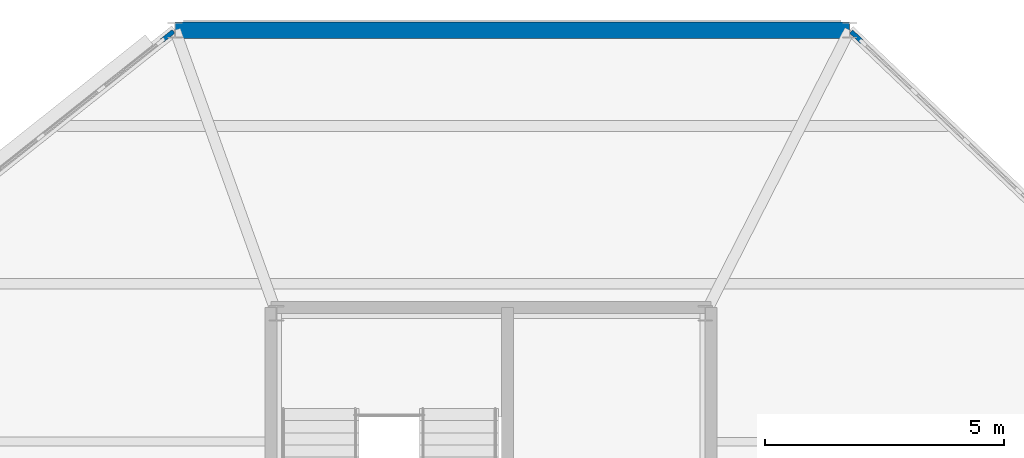
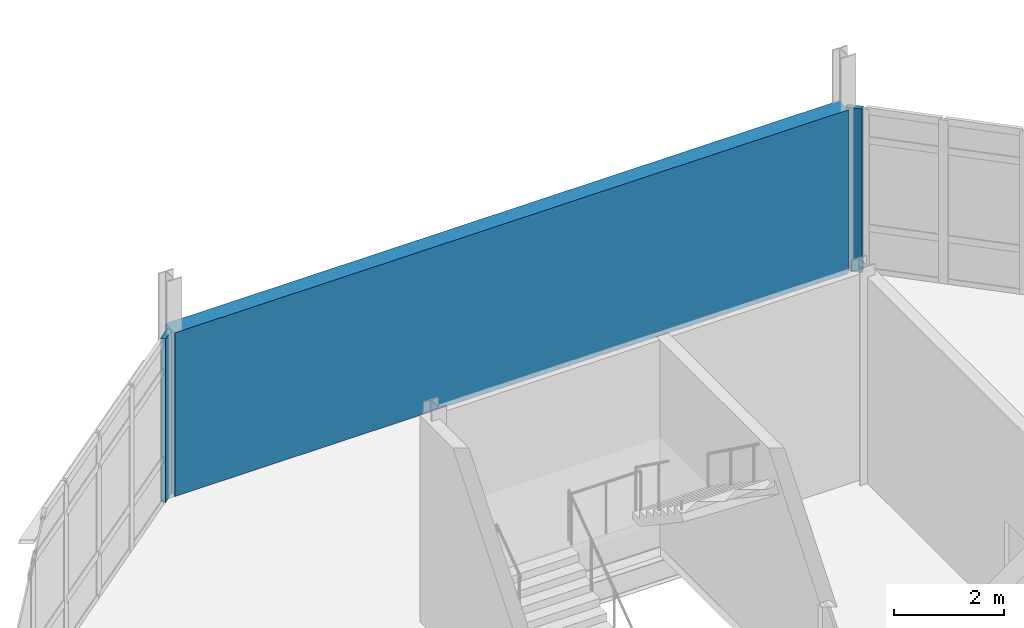
# One storey, part 97 of 114: 3 walls.
"""IFC4 building model written with IfcOpenShell, lengths in metres."""

from ifc_helpers import new_model, si_unit, direction, frame, frame_2d, origin, place, context, subcontext, project, spatial, rectangle, extrude, material, layer, layer_set, type_object, element, save


model = new_model("IFC4")

# Units and contexts
model_context = context("Model", 3, precision=1e-05, world=origin(), true_north=direction((0.0, 1.0)))
body_context = subcontext(model_context, "Body", "Model", "MODEL_VIEW")
ifc_project = project(units=[si_unit("LENGTHUNIT", "METRE"), si_unit("AREAUNIT", "SQUARE_METRE"), si_unit("VOLUMEUNIT", "CUBIC_METRE"), si_unit("PLANEANGLEUNIT", "RADIAN"), si_unit("MASSUNIT", "GRAM", prefix="KILO")], contexts=[model_context])

# Site, building, storey
site_placement = place(None, origin())
site = spatial("IfcSite", under=ifc_project, at=site_placement, CompositionType="ELEMENT")
building_placement = place(site_placement, origin())
building = spatial("IfcBuilding", under=site, at=building_placement, Name="Tameran Prism Museum", CompositionType="ELEMENT")
storey_placement = place(building_placement, frame((0.0, 0.0, 10.199951171875)))
storey = spatial("IfcBuildingStorey", under=building, at=storey_placement, Name="L02", CompositionType="ELEMENT", Elevation=10.199951171875)

# Walls
ifc_material_1 = material(Name="Precast Concrete N40 (40 MPa)", Category="concrete")
ifc_layer_1 = layer(ifc_material_1, 0.094970703125)
ifc_layer_set_1 = layer_set([ifc_layer_1])
wall_type_1 = type_object("IfcWallType", Name="EW-CLOS-095", PredefinedType="SOLIDWALL", material=ifc_layer_set_1)
wall_1_placement = place(storey_placement, frame((127.530029296875, 111.970947265625, 0.0), z_axis=(0.0, 0.0, 1.0), x_axis=(0.726243974232, -0.687437044311, 0.0)))
element("IfcWall", 1, at=wall_1_placement, inside=storey, type_object=wall_type_1, Name="Facade Corner Closure EW-0278", PredefinedType="SOLIDWALL", context=body_context, shape_type="SweptSolid", body=[
    extrude(rectangle(XDim=0.308349609375, YDim=0.094970703125, at=frame_2d((0.154296875, 0.0))), origin(), (0.0, 0.0, 1.0), 3.6201171875),
])
wall_2_placement = place(storey_placement, frame((113.1259765625, 111.781982421875, 0.0), z_axis=(0.0, 0.0, 1.0), x_axis=(0.781872503851, 0.6234383592, 0.0)))
element("IfcWall", 2, at=wall_2_placement, inside=storey, type_object=wall_type_1, Name="Facade Corner Closure EW-0282", PredefinedType="SOLIDWALL", context=body_context, shape_type="SweptSolid", body=[
    extrude(rectangle(XDim=0.30810546875, YDim=0.094970703125, at=frame_2d((0.154052734375, 0.0))), origin(), (0.0, 0.0, 1.0), 3.6201171875),
])
ifc_material_2 = material(Name="Precast Concrete N40 (40 MPa)", Category="concrete")
ifc_layer_2 = layer(ifc_material_2, 0.340087890625)
ifc_layer_set_2 = layer_set([ifc_layer_2])
wall_type_2 = type_object("IfcWallType", Name="EW-GAL-340", PredefinedType="SOLIDWALL", material=ifc_layer_set_2)
wall_3_placement = place(storey_placement, frame((113.39990234375, 112.0, 0.0), z_axis=(0.0, 0.0, 1.0), x_axis=(1.0, 0.0, 0.0)))
element("IfcWall", 3, at=wall_3_placement, inside=storey, type_object=wall_type_2, Name="Exterior Fluted Precast Wall EW-0280", PredefinedType="SOLIDWALL", context=body_context, shape_type="SweptSolid", body=[
    extrude(rectangle(XDim=14.10009765625, YDim=0.340087890625, at=frame_2d((7.050048828125, 0.0))), origin(), (0.0, 0.0, 1.0), 3.6201171875),
])

save(model, "model.ifc")
